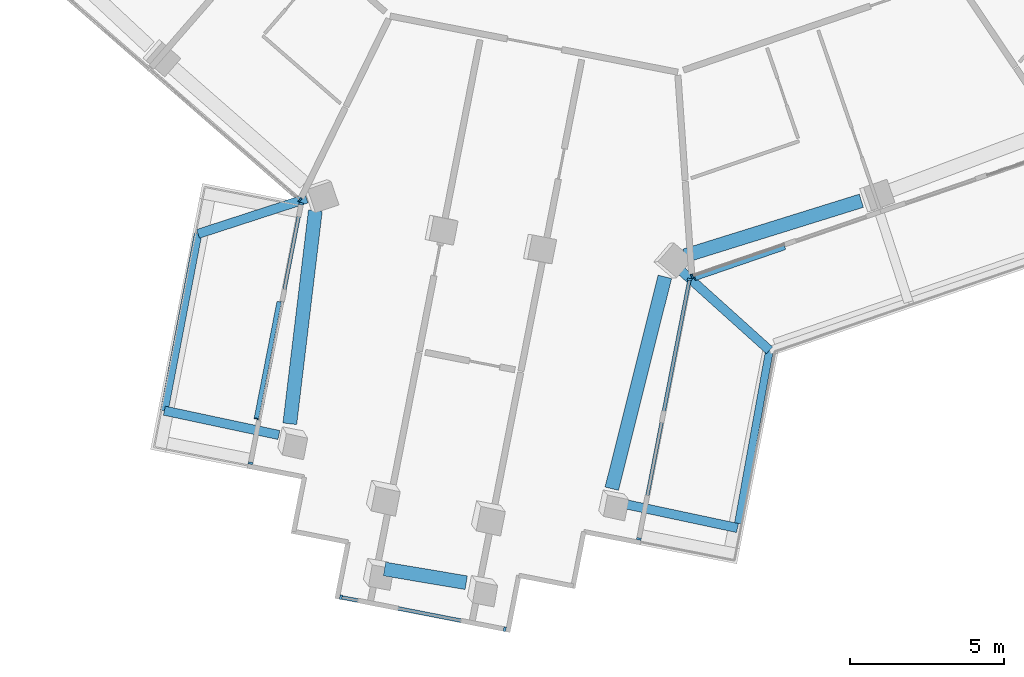
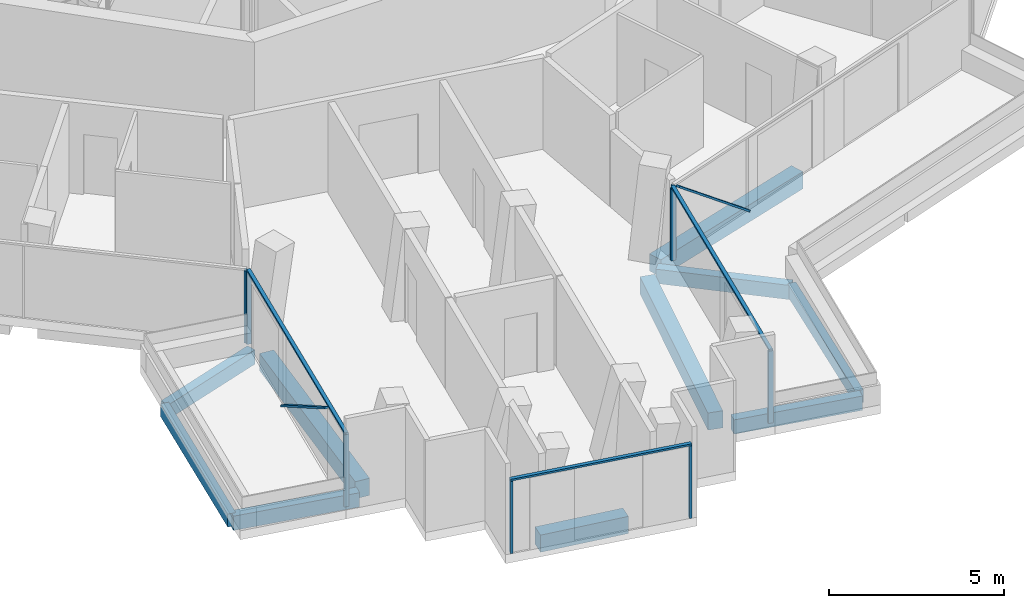
# One storey, part 2 of 22: 13 members, 10 beams, 5 elements without a shape of their own.
"""IFC4 building model written with IfcOpenShell, lengths in metres."""

from ifc_helpers import new_model, si_unit, direction, frame, origin, origin_2d, place, context, subcontext, project, spatial, rectangle, extrude, material, layer, layer_set, material_profile, profile_set, type_object, element, aggregate, save


model = new_model("IFC4")

# Units and contexts
model_context = context("Model", 3, precision=1e-05, world=origin(), true_north=direction((0.0, 1.0)))
body_context = subcontext(model_context, "Body", "Model", "MODEL_VIEW")
ifc_project = project(units=[si_unit("LENGTHUNIT", "METRE"), si_unit("AREAUNIT", "SQUARE_METRE"), si_unit("VOLUMEUNIT", "CUBIC_METRE"), si_unit("PLANEANGLEUNIT", "RADIAN"), si_unit("MASSUNIT", "GRAM", prefix="KILO")], contexts=[model_context])

# Site, building, storey
site_placement = place(None, origin())
site = spatial("IfcSite", under=ifc_project, at=site_placement, CompositionType="ELEMENT")
building_placement = place(site_placement, origin())
building = spatial("IfcBuilding", under=site, at=building_placement, Name="Verdalira Terraces Hotel", CompositionType="ELEMENT")
storey_placement = place(building_placement, frame((0.0, 0.0, 234.0)))
storey = spatial("IfcBuildingStorey", under=building, at=storey_placement, Name="L57", CompositionType="ELEMENT", Elevation=234.0)

# Beams
ifc_material_1 = material(Name="Concrete C40", Category="concrete")
ifc_material_profile_1 = material_profile(ifc_material_1, rectangle(XDim=0.300049, YDim=0.5, at=origin_2d()), Name="RC 300X500")
ifc_profile_set_1 = profile_set([ifc_material_profile_1], Name="Concrete C40")
beam_type_1 = type_object("IfcBeamType", Name="Balcony cantilever beam RC 300X500 C40", PredefinedType="BEAM", material=ifc_profile_set_1)
beam_1_placement = place(storey_placement, frame((-10.783203, -22.44751, -0.560059), z_axis=(-0.951053915, -0.309024999, 0.0), x_axis=(0.309024999, -0.951053915, 0.0)))
element("IfcBeam", 1, at=beam_1_placement, inside=storey, type_object=beam_type_1, Name="Balcony cantilever beam R14-1", PredefinedType="BEAM", context=body_context, shape_type="SweptSolid", body=[
    extrude(rectangle(XDim=0.300049, YDim=0.5, at=origin_2d()), origin(), (0.0, 0.0, 1.0), 3.706055),
])
beam_2_placement = place(storey_placement, frame((-11.681396, -30.125488, -0.560059), z_axis=(-0.978142048, 0.207937815, 0.0), x_axis=(-0.207937815, -0.978142048, 0.0)))
element("IfcBeam", 2, at=beam_2_placement, inside=storey, type_object=beam_type_1, Name="Balcony cantilever beam R14-2", PredefinedType="BEAM", context=body_context, shape_type="SweptSolid", body=[
    extrude(rectangle(XDim=0.300049, YDim=0.5, at=origin_2d()), origin(), (0.0, 0.0, 1.0), 3.804199),
])
beam_3_placement = place(storey_placement, frame((-0.580322, -32.3396, -0.560059), z_axis=(0.978148448, -0.207907704, 0.0), x_axis=(0.207907704, 0.978148448, 0.0)))
element("IfcBeam", 3, at=beam_3_placement, inside=storey, type_object=beam_type_1, Name="Balcony cantilever beam R24-1", PredefinedType="BEAM", context=body_context, shape_type="SweptSolid", body=[
    extrude(rectangle(XDim=0.300049, YDim=0.5, at=origin_2d()), origin(), (0.0, 0.0, 1.0), 3.877441),
])
beam_4_placement = place(storey_placement, frame((1.315918, -24.731689, -0.560059), z_axis=(0.743158908, -0.669114965, 0.0), x_axis=(0.669114965, 0.743158908, 0.0)))
element("IfcBeam", 4, at=beam_4_placement, inside=storey, type_object=beam_type_1, Name="Balcony cantilever beam R24-2", PredefinedType="BEAM", context=body_context, shape_type="SweptSolid", body=[
    extrude(rectangle(XDim=0.300049, YDim=0.5, at=origin_2d()), origin(), (0.0, 0.0, 1.0), 3.950195),
])
ifc_material_2 = material(Name="Concrete C40", Category="concrete")
ifc_material_profile_2 = material_profile(ifc_material_2, rectangle(XDim=0.25, YDim=0.449951, at=origin_2d()), Name="RC 250X450")
ifc_profile_set_2 = profile_set([ifc_material_profile_2], Name="Concrete C40")
beam_type_2 = type_object("IfcBeamType", Name="Balcony edge beam RC 250X450 C40", PredefinedType="BEAM", material=ifc_profile_set_2)
beam_5_placement = place(storey_placement, frame((-14.307861, -23.592773, -0.534912), z_axis=(-0.187248379, -0.9823126, 0.0), x_axis=(0.9823126, -0.187248379, 0.0)))
element("IfcBeam", 5, at=beam_5_placement, inside=storey, type_object=beam_type_2, Name="Balcony edge beam R14-1", PredefinedType="BEAM", context=body_context, shape_type="SweptSolid", body=[
    extrude(rectangle(XDim=0.25, YDim=0.449951, at=origin_2d()), origin(), (0.0, 0.0, 1.0), 5.844971),
])
beam_6_placement = place(storey_placement, frame((3.23877, -32.998047, -0.534912), z_axis=(0.177238256, 0.984167974, 0.0), x_axis=(-0.984167974, 0.177238256, 0.0)))
element("IfcBeam", 6, at=beam_6_placement, inside=storey, type_object=beam_type_2, Name="Balcony edge beam R24-1", PredefinedType="BEAM", context=body_context, shape_type="SweptSolid", body=[
    extrude(rectangle(XDim=0.25, YDim=0.449951, at=origin_2d()), origin(), (0.0, 0.0, 1.0), 5.713867),
])

# Curtain wall, member
ifc_material_3 = material(Name="Clear glass", Category="glass")
ifc_layer_1 = layer(ifc_material_3, 0.14990234375)
ifc_layer_set_1 = layer_set([ifc_layer_1], Name="CW1 curtain wall")
curtain_wall_type_1 = type_object("IfcCurtainWallType", Name="CW1 curtain wall", PredefinedType="NOTDEFINED", material=ifc_layer_set_1)
curtain_wall_1_placement = place(storey_placement, origin())
curtain_wall_1 = element("IfcCurtainWall", 7, at=curtain_wall_1_placement, inside=storey, type_object=curtain_wall_type_1, Name="CW1 curtain wall L57 edge 13", PredefinedType="NOTDEFINED")
ifc_material_4 = material(Name="Terracotta frame", Category="masonry")
ifc_material_profile_3 = material_profile(ifc_material_4, rectangle(XDim=0.060059, YDim=0.149902, at=origin_2d()), Name="MU 60x150")
ifc_profile_set_3 = profile_set([ifc_material_profile_3], Name="Terracotta frame")
member_type_1 = type_object("IfcMemberType", Name="CW1 mullion 60x150", PredefinedType="MULLION", material=ifc_profile_set_3)
member_1_placement = place(storey_placement, frame((-10.998535, -22.488525, 0.0), z_axis=(0.0, 0.0, 1.0), x_axis=(0.754251381, -0.656585756, 0.0)))
member_1 = element("IfcMember", 8, at=member_1_placement, type_object=member_type_1, Name="CW1 mullion", PredefinedType="MULLION", context=body_context, shape_type="SweptSolid", body=[
    extrude(rectangle(XDim=0.060059, YDim=0.149902, at=origin_2d()), origin(), (0.0, 0.0, 1.0), 2.524902),
])
aggregate(curtain_wall_1, [member_1])

curtain_wall_2_placement = place(storey_placement, origin())
curtain_wall_2 = element("IfcCurtainWall", 9, at=curtain_wall_2_placement, inside=storey, type_object=curtain_wall_type_1, Name="CW1 curtain wall L57 edge 25", PredefinedType="NOTDEFINED")
member_2_placement = place(storey_placement, frame((1.738281, -24.973389, 0.0), z_axis=(0.0, 0.0, 1.0), x_axis=(0.945745635, 0.324907979, 0.0)))
member_2 = element("IfcMember", 10, at=member_2_placement, type_object=member_type_1, Name="CW1 mullion", PredefinedType="MULLION", context=body_context, shape_type="SweptSolid", body=[
    extrude(rectangle(XDim=0.060059, YDim=0.149902, at=origin_2d()), origin(), (0.0, 0.0, 1.0), 2.524902),
])

# Curtain wall, members
ifc_material_5 = material(Name="Clear glass", Category="glass")
ifc_layer_2 = layer(ifc_material_5, 0.14990234375)
ifc_layer_set_2 = layer_set([ifc_layer_2], Name="CW2 curtain wall")
curtain_wall_type_2 = type_object("IfcCurtainWallType", Name="CW2 curtain wall", PredefinedType="NOTDEFINED", material=ifc_layer_set_2)
curtain_wall_3_placement = place(storey_placement, origin())
curtain_wall_3 = element("IfcCurtainWall", 11, at=curtain_wall_3_placement, inside=storey, type_object=curtain_wall_type_2, Name="CW2 curtain wall L57 edge 14", PredefinedType="NOTDEFINED")
ifc_material_6 = material(Name="Terracotta frame", Category="masonry")
ifc_material_profile_4 = material_profile(ifc_material_6, rectangle(XDim=0.070068, YDim=0.149902, at=origin_2d()), Name="MU 70x150")
ifc_profile_set_4 = profile_set([ifc_material_profile_4], Name="Terracotta frame")
member_type_2 = type_object("IfcMemberType", Name="CW2 mullion 70x150", PredefinedType="MULLION", material=ifc_profile_set_4)
member_3_placement = place(storey_placement, frame((-10.958252, -22.613281, 0.0), z_axis=(0.0, 0.0, 1.0), x_axis=(-0.191494254, -0.981493734, 0.0)))
member_3 = element("IfcMember", 12, at=member_3_placement, type_object=member_type_2, Name="CW2 mullion", PredefinedType="MULLION", context=body_context, shape_type="SweptSolid", body=[
    extrude(rectangle(XDim=0.070068, YDim=0.149902, at=origin_2d()), origin(), (0.0, 0.0, 1.0), 2.524902),
])
member_4_placement = place(storey_placement, frame((-12.602295, -31.041016, 0.0), z_axis=(0.0, 0.0, 1.0), x_axis=(-0.191494254, -0.981493734, 0.0)))
member_4 = element("IfcMember", 13, at=member_4_placement, type_object=member_type_2, Name="CW2 mullion", PredefinedType="MULLION", context=body_context, shape_type="SweptSolid", body=[
    extrude(rectangle(XDim=0.070068, YDim=0.149902, at=origin_2d()), origin(), (0.0, 0.0, 1.0), 2.524902),
])

curtain_wall_4_placement = place(storey_placement, origin())
curtain_wall_4 = element("IfcCurtainWall", 14, at=curtain_wall_4_placement, inside=storey, type_object=curtain_wall_type_2, Name="CW2 curtain wall L57 edge 24", PredefinedType="NOTDEFINED")
member_5_placement = place(storey_placement, frame((0.009766, -33.501709, 0.0), z_axis=(0.0, 0.0, 1.0), x_axis=(0.191494254, 0.981493734, 0.0)))
member_5 = element("IfcMember", 15, at=member_5_placement, type_object=member_type_2, Name="CW2 mullion", PredefinedType="MULLION", context=body_context, shape_type="SweptSolid", body=[
    extrude(rectangle(XDim=0.070068, YDim=0.149902, at=origin_2d()), origin(), (0.0, 0.0, 1.0), 2.524902),
])
member_6_placement = place(storey_placement, frame((1.654053, -25.074219, 0.0), z_axis=(0.0, 0.0, 1.0), x_axis=(0.191494254, 0.981493734, 0.0)))
member_6 = element("IfcMember", 16, at=member_6_placement, type_object=member_type_2, Name="CW2 mullion", PredefinedType="MULLION", context=body_context, shape_type="SweptSolid", body=[
    extrude(rectangle(XDim=0.070068, YDim=0.149902, at=origin_2d()), origin(), (0.0, 0.0, 1.0), 2.524902),
])

# Member
ifc_material_7 = material(Name="Terracotta frame", Category="masonry")
ifc_material_profile_5 = material_profile(ifc_material_7, rectangle(XDim=0.11499, YDim=0.064941, at=origin_2d()), Name="TR 65x115")
ifc_profile_set_5 = profile_set([ifc_material_profile_5], Name="Terracotta frame")
member_type_3 = type_object("IfcMemberType", Name="CW2 transom 65x115", PredefinedType="USERDEFINED", material=ifc_profile_set_5)
member_7_placement = place(storey_placement, frame((-10.951416, -22.579102, 2.557617), z_axis=(-0.191498432, -0.981492919, 0.0), x_axis=(0.981492919, -0.191498432, 0.0)))
member_7 = element("IfcMember", 17, at=member_7_placement, type_object=member_type_3, Name="CW2 transom", ObjectType="TRANSOM", PredefinedType="USERDEFINED", context=body_context, shape_type="SweptSolid", body=[
    extrude(rectangle(XDim=0.11499, YDim=0.064941, at=origin_2d()), origin(), (0.0, 0.0, 1.0), 8.656494),
])

member_8_placement = place(storey_placement, frame((0.003174, -33.536133, 2.557617), z_axis=(0.191471263, 0.98149822, 0.0), x_axis=(-0.98149822, 0.191471263, 0.0)))
member_8 = element("IfcMember", 18, at=member_8_placement, type_object=member_type_3, Name="CW2 transom", ObjectType="TRANSOM", PredefinedType="USERDEFINED", context=body_context, shape_type="SweptSolid", body=[
    extrude(rectangle(XDim=0.11499, YDim=0.064941, at=origin_2d()), origin(), (0.0, 0.0, 1.0), 8.656494),
])

aggregate(curtain_wall_4, [member_5, member_6, member_8])

# Curtain wall, members
ifc_material_8 = material(Name="Clear glass", Category="glass")
ifc_layer_3 = layer(ifc_material_8, 0.14990234375)
ifc_layer_set_3 = layer_set([ifc_layer_3], Name="CW3 curtain wall")
curtain_wall_type_3 = type_object("IfcCurtainWallType", Name="CW3 curtain wall", PredefinedType="NOTDEFINED", material=ifc_layer_set_3)
curtain_wall_5_placement = place(storey_placement, origin())
curtain_wall_5 = element("IfcCurtainWall", 19, at=curtain_wall_5_placement, inside=storey, type_object=curtain_wall_type_3, Name="CW3 curtain wall L57 edge 19", PredefinedType="NOTDEFINED")
ifc_material_9 = material(Name="Terracotta frame", Category="masonry")
ifc_material_profile_6 = material_profile(ifc_material_9, rectangle(XDim=0.080078, YDim=0.149902, at=origin_2d()), Name="MU 80x150")
ifc_profile_set_6 = profile_set([ifc_material_profile_6], Name="Terracotta frame")
member_type_4 = type_object("IfcMemberType", Name="CW3 mullion 80x150", PredefinedType="MULLION", material=ifc_profile_set_6)
member_9_placement = place(storey_placement, frame((-9.666504, -35.393799, 0.0), z_axis=(0.0, 0.0, 1.0), x_axis=(0.981493734, -0.191494254, 0.0)))
member_9 = element("IfcMember", 20, at=member_9_placement, type_object=member_type_4, Name="CW3 mullion", PredefinedType="MULLION", context=body_context, shape_type="SweptSolid", body=[
    extrude(rectangle(XDim=0.080078, YDim=0.149902, at=origin_2d()), origin(), (0.0, 0.0, 1.0), 2.524902),
])
member_10_placement = place(storey_placement, frame((-4.346924, -36.431641, 0.0), z_axis=(0.0, 0.0, 1.0), x_axis=(0.981493734, -0.191494254, 0.0)))
member_10 = element("IfcMember", 21, at=member_10_placement, type_object=member_type_4, Name="CW3 mullion", PredefinedType="MULLION", context=body_context, shape_type="SweptSolid", body=[
    extrude(rectangle(XDim=0.080078, YDim=0.149902, at=origin_2d()), origin(), (0.0, 0.0, 1.0), 2.524902),
])
ifc_material_10 = material(Name="Terracotta frame", Category="masonry")
ifc_material_profile_7 = material_profile(ifc_material_10, rectangle(XDim=0.120117, YDim=0.064941, at=origin_2d()), Name="TR 65x120")
ifc_profile_set_7 = profile_set([ifc_material_profile_7], Name="Terracotta frame")
member_type_5 = type_object("IfcMemberType", Name="CW3 transom 65x120", PredefinedType="USERDEFINED", material=ifc_profile_set_7)
member_11_placement = place(storey_placement, frame((-9.705811, -35.38623, 2.557617), z_axis=(0.981493441, -0.191495758, 0.0), x_axis=(0.191495758, 0.981493441, 0.0)))
member_11 = element("IfcMember", 22, at=member_11_placement, type_object=member_type_5, Name="CW3 transom", ObjectType="TRANSOM", PredefinedType="USERDEFINED", context=body_context, shape_type="SweptSolid", body=[
    extrude(rectangle(XDim=0.120117, YDim=0.064941, at=origin_2d()), origin(), (0.0, 0.0, 1.0), 5.5),
])
aggregate(curtain_wall_5, [member_9, member_10, member_11])

# Member
ifc_material_11 = material(Name="Terracotta frame", Category="masonry")
ifc_material_profile_8 = material_profile(ifc_material_11, rectangle(XDim=0.149902, YDim=0.060059, at=origin_2d()), Name="GB 60x150")
ifc_profile_set_8 = profile_set([ifc_material_profile_8], Name="Terracotta frame")
member_type_6 = type_object("IfcMemberType", Name="Diagonal glazing bar 60x150", PredefinedType="USERDEFINED", material=ifc_profile_set_8)
member_12_placement = place(storey_placement, frame((-11.674805, -25.811279, 0.026367), z_axis=(-0.1611675, -0.826150043, 0.539908459), x_axis=(0.981497851, -0.191473155, 0.0)))
member_12 = element("IfcMember", 23, at=member_12_placement, type_object=member_type_6, Name="Diagonal glazing bar", ObjectType="GLAZING BAR", PredefinedType="USERDEFINED", context=body_context, shape_type="SweptSolid", body=[
    extrude(rectangle(XDim=0.149902, YDim=0.060059, at=origin_2d()), origin(), (0.0, 0.0, 1.0), 4.579346),
])

aggregate(curtain_wall_3, [member_3, member_4, member_7, member_12])

member_13_placement = place(storey_placement, frame((1.824707, -25.037842, 2.500488), z_axis=(0.736995037, 0.253183688, -0.626686791), x_axis=(-0.324898027, 0.945749053, 0.0)))
member_13 = element("IfcMember", 24, at=member_13_placement, type_object=member_type_6, Name="Diagonal glazing bar", ObjectType="GLAZING BAR", PredefinedType="USERDEFINED", context=body_context, shape_type="SweptSolid", body=[
    extrude(rectangle(XDim=0.149902, YDim=0.060059, at=origin_2d()), origin(), (0.0, 0.0, 1.0), 3.950684),
])

aggregate(curtain_wall_2, [member_2, member_13])

# Beams
ifc_material_12 = material(Name="Concrete C40", Category="concrete")
ifc_material_profile_9 = material_profile(ifc_material_12, rectangle(XDim=0.449951, YDim=0.600098, at=origin_2d()), Name="RC 450X600")
ifc_profile_set_9 = profile_set([ifc_material_profile_9], Name="Concrete C40")
beam_type_3 = type_object("IfcBeamType", Name="Spandrel beam RC 450X600 C40", PredefinedType="SPANDREL", material=ifc_profile_set_9)
beam_7_placement = place(storey_placement, frame((-10.498047, -22.835938, -0.610107), z_axis=(-0.118987855, -0.99289571, 0.0), x_axis=(0.99289571, -0.118987855, 0.0)))
element("IfcBeam", 25, at=beam_7_placement, inside=storey, type_object=beam_type_3, Name="Spandrel beam B08", PredefinedType="SPANDREL", context=body_context, shape_type="SweptSolid", body=[
    extrude(rectangle(XDim=0.449951, YDim=0.600098, at=origin_2d()), origin(), (0.0, 0.0, 1.0), 6.974121),
])
beam_8_placement = place(storey_placement, frame((-8.252197, -34.476562, -0.610107), z_axis=(0.986189704, -0.165619645, 0.0), x_axis=(0.165619645, 0.986189704, 0.0)))
element("IfcBeam", 26, at=beam_8_placement, inside=storey, type_object=beam_type_3, Name="Spandrel beam B09", PredefinedType="SPANDREL", context=body_context, shape_type="SweptSolid", body=[
    extrude(rectangle(XDim=0.449951, YDim=0.600098, at=origin_2d()), origin(), (0.0, 0.0, 1.0), 2.69165),
])
beam_9_placement = place(storey_placement, frame((-0.871582, -31.870117, -0.610107), z_axis=(0.243037716, 0.970016839, 0.0), x_axis=(-0.970016839, 0.243037716, 0.0)))
element("IfcBeam", 27, at=beam_9_placement, inside=storey, type_object=beam_type_3, Name="Spandrel beam B10", PredefinedType="SPANDREL", context=body_context, shape_type="SweptSolid", body=[
    extrude(rectangle(XDim=0.449951, YDim=0.600098, at=origin_2d()), origin(), (0.0, 0.0, 1.0), 7.093018),
])
beam_10_placement = place(storey_placement, frame((1.506836, -24.302002, -0.610107), z_axis=(0.954721501, 0.297501018, 0.0), x_axis=(-0.297501018, 0.954721501, 0.0)))
element("IfcBeam", 28, at=beam_10_placement, inside=storey, type_object=beam_type_3, Name="Spandrel beam B11", PredefinedType="SPANDREL", context=body_context, shape_type="SweptSolid", body=[
    extrude(rectangle(XDim=0.449951, YDim=0.600098, at=origin_2d()), origin(), (0.0, 0.0, 1.0), 5.999756),
])

save(model, "model.ifc")
